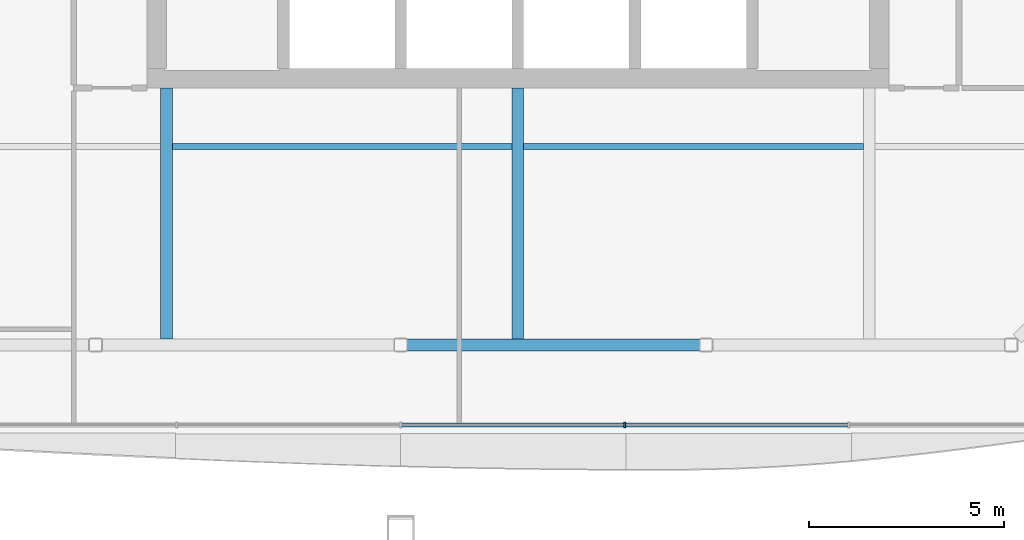
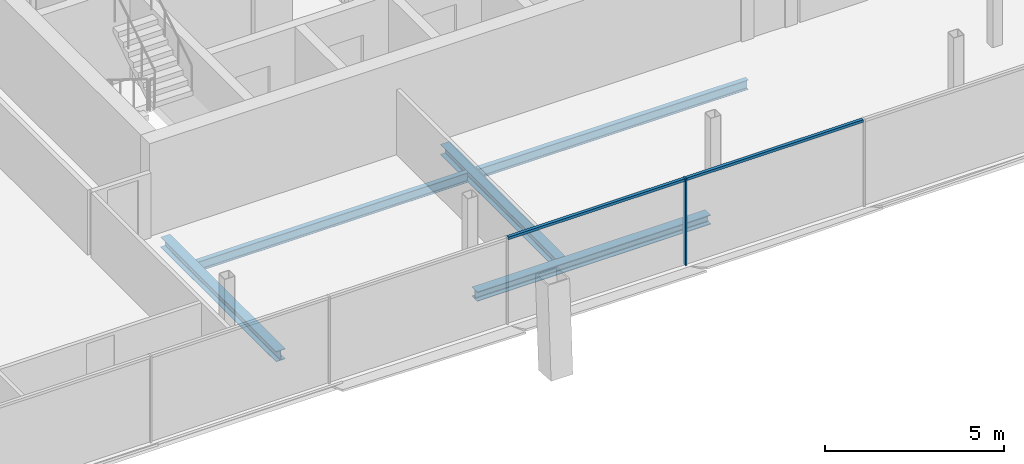
# One storey, part 5 of 20: 5 beams, 3 members, 1 element without a shape of its own.
"""IFC4 building model written with IfcOpenShell, lengths in metres."""

from ifc_helpers import new_model, si_unit, direction, frame, origin, origin_2d, place, context, subcontext, project, spatial, rectangle, i_section, extrude, material, material_profile, profile_set, type_object, element, aggregate, save


model = new_model("IFC4")

# Units and contexts
model_context = context("Model", 3, precision=1e-05, world=origin(), true_north=direction((0.0, 1.0)))
body_context = subcontext(model_context, "Body", "Model", "MODEL_VIEW")
ifc_project = project(units=[si_unit("LENGTHUNIT", "METRE"), si_unit("AREAUNIT", "SQUARE_METRE"), si_unit("VOLUMEUNIT", "CUBIC_METRE"), si_unit("PLANEANGLEUNIT", "RADIAN"), si_unit("MASSUNIT", "GRAM", prefix="KILO")], contexts=[model_context])

# Site, building, storey
site_placement = place(None, origin())
site = spatial("IfcSite", under=ifc_project, at=site_placement, CompositionType="ELEMENT")
building_placement = place(site_placement, origin())
building = spatial("IfcBuilding", under=site, at=building_placement, Name="Tskaro Facet Tower", CompositionType="ELEMENT")
storey_placement = place(building_placement, frame((0.0, 0.0, 187.949951171875)))
storey = spatial("IfcBuildingStorey", under=building, at=storey_placement, Name="L47", CompositionType="ELEMENT", Elevation=187.949951171875)

# Curtain wall, members
ifc_material_1 = material(Name="Bronze anodised aluminium 6063-T6", Category="aluminium")
curtain_wall_type = type_object("IfcCurtainWallType", Name="Bronze residence curtain wall (FW3)", PredefinedType="NOTDEFINED", material=ifc_material_1)
curtain_wall_placement = place(storey_placement, origin())
curtain_wall = element("IfcCurtainWall", 1, at=curtain_wall_placement, inside=storey, type_object=curtain_wall_type, Name="FW3 south facet L47", PredefinedType="NOTDEFINED")
ifc_material_profile_1 = material_profile(ifc_material_1, rectangle(XDim=0.050048828125, YDim=0.139892578125, at=origin_2d()), Name="Mullion 50x140")
ifc_profile_set_1 = profile_set([ifc_material_profile_1], Name="Bronze anodised aluminium 6063-T6")
member_type_1 = type_object("IfcMemberType", Name="FW3 bronze mullion 50x140", PredefinedType="MULLION", material=ifc_profile_set_1)
member_1_placement = place(storey_placement, frame((2.736328125, -20.6279296875, 0.0), z_axis=(0.0, 0.0, 1.0), x_axis=(1.0, 0.0, 0.0)))
member_1 = element("IfcMember", 2, at=member_1_placement, type_object=member_type_1, Name="FW3 south mullion 4", PredefinedType="MULLION", context=body_context, shape_type="SweptSolid", body=[
    extrude(rectangle(XDim=0.050048828125, YDim=0.139892578125, at=origin_2d()), origin(), (0.0, 0.0, 1.0), 2.949951171875),
])
ifc_material_profile_2 = material_profile(ifc_material_1, rectangle(XDim=0.10009765625, YDim=0.090087890625, at=origin_2d()), Name="Transom 100x90")
ifc_profile_set_2 = profile_set([ifc_material_profile_2], Name="Bronze anodised aluminium 6063-T6")
member_type_2 = type_object("IfcMemberType", Name="FW3 bronze transom 100x90", PredefinedType="USERDEFINED", material=ifc_profile_set_2)
member_2_placement = place(storey_placement, frame((-2.97509765625, -20.6279296875, 2.905029296875), z_axis=(1.0, 0.0, 0.0), x_axis=(0.0, 1.0, 0.0)))
member_2 = element("IfcMember", 3, at=member_2_placement, type_object=member_type_2, Name="FW3 south transom 4.1", ObjectType="TRANSOM", PredefinedType="USERDEFINED", context=body_context, shape_type="SweptSolid", body=[
    extrude(rectangle(XDim=0.10009765625, YDim=0.090087890625, at=origin_2d()), origin(), (0.0, 0.0, 1.0), 5.6865234375),
])
member_3_placement = place(storey_placement, frame((2.76123046875, -20.6279296875, 2.905029296875), z_axis=(1.0, 0.0, 0.0), x_axis=(0.0, 1.0, 0.0)))
member_3 = element("IfcMember", 4, at=member_3_placement, type_object=member_type_2, Name="FW3 south transom 5.1", ObjectType="TRANSOM", PredefinedType="USERDEFINED", context=body_context, shape_type="SweptSolid", body=[
    extrude(rectangle(XDim=0.10009765625, YDim=0.090087890625, at=origin_2d()), origin(), (0.0, 0.0, 1.0), 5.6865234375),
])
aggregate(curtain_wall, [member_1, member_2, member_3])

# Beams
ifc_material_2 = material(Name="Steel S355J2", Category="steel")
ifc_material_profile_3 = material_profile(ifc_material_2, i_section(OverallWidth=0.300048828125, OverallDepth=0.320068359375, WebThickness=0.011474609375, FlangeThickness=0.0205078125, FilletRadius=0.027099609375, at=origin_2d()), Name="HE 320 B")
ifc_profile_set_3 = profile_set([ifc_material_profile_3], Name="Steel S355J2")
beam_type_1 = type_object("IfcBeamType", Name="HE 320 B ring beam", PredefinedType="BEAM", material=ifc_profile_set_3)
beam_placement = place(storey_placement, frame((-2.844970703125, -18.5830078125, -0.300048828125), z_axis=(1.0, 0.0, 0.0), x_axis=(0.0, 1.0, 0.0)))
element("IfcBeam", 5, at=beam_placement, inside=storey, type_object=beam_type_1, Name="HE 320 B EB3-4", PredefinedType="BEAM", context=body_context, shape_type="SweptSolid", body=[
    extrude(i_section(OverallWidth=0.300048828125, OverallDepth=0.320068359375, WebThickness=0.011474609375, FlangeThickness=0.0205078125, FilletRadius=0.027099609375, at=origin_2d()), origin(), (0.0, 0.0, 1.0), 7.507080078125),
])
ifc_material_profile_4 = material_profile(ifc_material_2, i_section(OverallWidth=0.300048828125, OverallDepth=0.35009765625, WebThickness=0.010009765625, FlangeThickness=0.017578125, FilletRadius=0.027099609375, at=origin_2d()), Name="HE 360 A")
ifc_profile_set_4 = profile_set([ifc_material_profile_4], Name="Steel S355J2")
beam_type_2 = type_object("IfcBeamType", Name="HE 360 A girder", PredefinedType="BEAM", material=ifc_profile_set_4)
for number, where, z_axis, x_axis, name in (
    (6, (-9.0, -18.43310546875, -0.31494140625), (0.0, 1.0, 0.0), (-1.0, 0.0, 0.0), "HE 360 A GB3-1-4"),
    (7, (0.0, -18.43310546875, -0.31494140625), (0.0, 1.0, 0.0), (-1.0, 0.0, 0.0), "HE 360 A GB4-1-4"),
):
    element("IfcBeam", number, at=place(storey_placement, frame(where, z_axis=z_axis, x_axis=x_axis)), inside=storey, type_object=beam_type_2, Name=name, PredefinedType="BEAM", context=body_context, shape_type="SweptSolid", body=[
        extrude(i_section(OverallWidth=0.300048828125, OverallDepth=0.35009765625, WebThickness=0.010009765625, FlangeThickness=0.017578125, FilletRadius=0.027099609375, at=origin_2d()), origin(), (0.0, 0.0, 1.0), 6.43310546875),
    ])
ifc_material_profile_5 = material_profile(ifc_material_2, i_section(OverallWidth=0.159912109375, OverallDepth=0.330078125, WebThickness=0.007568359375, FlangeThickness=0.011474609375, FilletRadius=0.01806640625, at=origin_2d()), Name="IPE 330")
ifc_profile_set_5 = profile_set([ifc_material_profile_5], Name="Steel S355J2")
beam_type_3 = type_object("IfcBeamType", Name="IPE 330 secondary beam", PredefinedType="BEAM", material=ifc_profile_set_5)
for number, where, z_axis, x_axis, name in (
    (8, (-8.85009765625, -13.5, -0.304931640625), (1.0, 0.0, 0.0), (0.0, 1.0, 0.0), "IPE 330 SB2a-3-4"),
    (9, (0.14990234375, -13.5, -0.304931640625), (1.0, 0.0, 0.0), (0.0, 1.0, 0.0), "IPE 330 SB2a-4-4"),
):
    element("IfcBeam", number, at=place(storey_placement, frame(where, z_axis=z_axis, x_axis=x_axis)), inside=storey, type_object=beam_type_3, Name=name, PredefinedType="BEAM", context=body_context, shape_type="SweptSolid", body=[
        extrude(i_section(OverallWidth=0.159912109375, OverallDepth=0.330078125, WebThickness=0.007568359375, FlangeThickness=0.011474609375, FilletRadius=0.01806640625, at=origin_2d()), origin(), (0.0, 0.0, 1.0), 8.7001953125),
    ])

save(model, "model.ifc")
